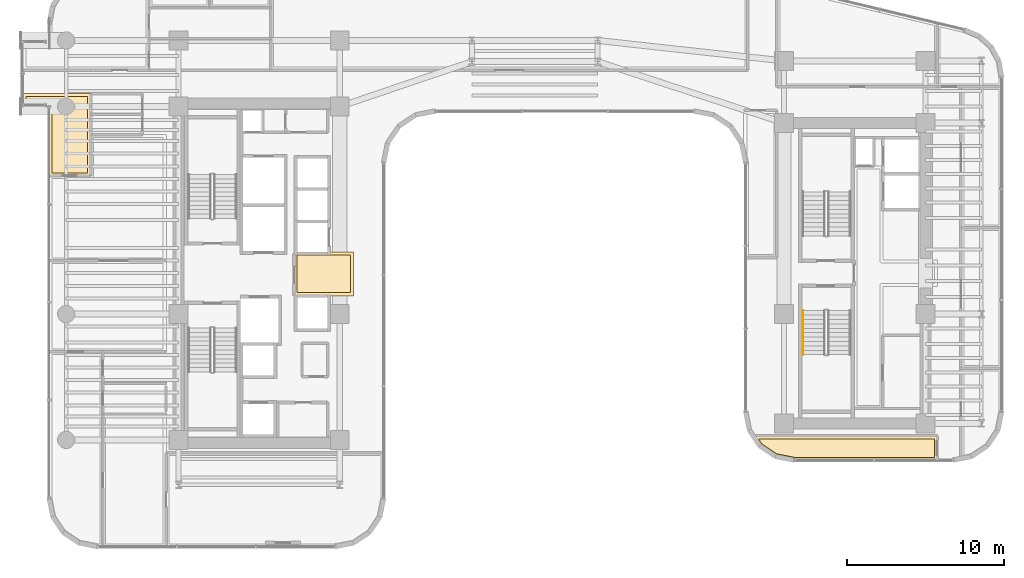
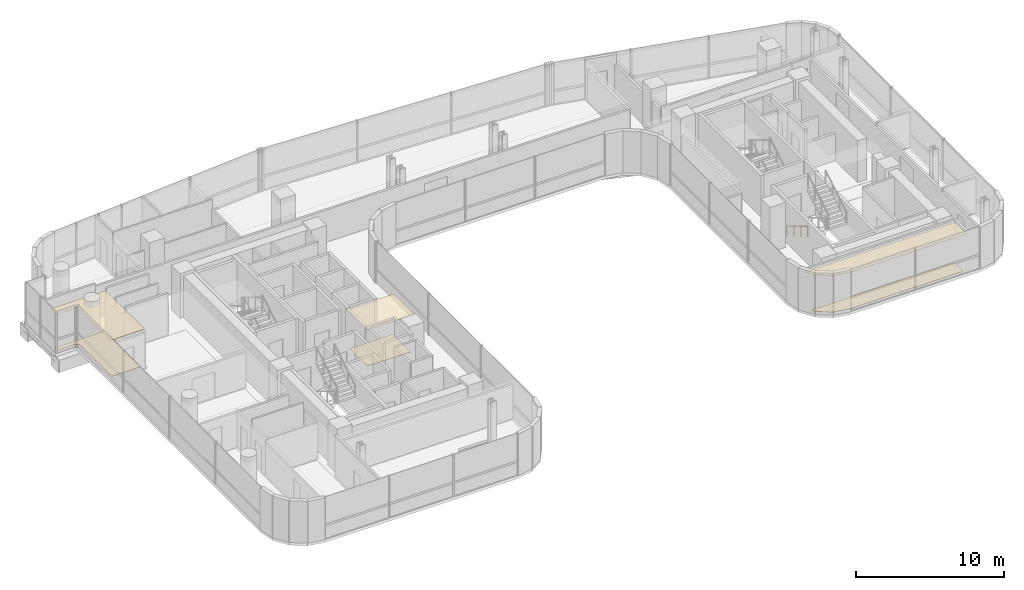
# One storey, part 33 of 35: 6 coverings, 1 railing.
"""IFC4 building model written with IfcOpenShell, lengths in metres."""

from ifc_helpers import new_model, si_unit, direction, frame, origin, origin_2d, place, context, subcontext, project, spatial, polyline, circle, outline, extrude, material, layer, layer_set, type_object, element, save


model = new_model("IFC4")

# Units and contexts
model_context = context("Model", 3, precision=1e-05, world=origin(), true_north=direction((0.0, 1.0)))
body_context = subcontext(model_context, "Body", "Model", "MODEL_VIEW")
ifc_project = project(units=[si_unit("LENGTHUNIT", "METRE"), si_unit("AREAUNIT", "SQUARE_METRE"), si_unit("VOLUMEUNIT", "CUBIC_METRE"), si_unit("PLANEANGLEUNIT", "RADIAN"), si_unit("MASSUNIT", "GRAM", prefix="KILO")], contexts=[model_context])

# Site, building, storey
site_placement = place(None, origin())
site = spatial("IfcSite", under=ifc_project, at=site_placement, CompositionType="ELEMENT")
building_placement = place(site_placement, origin())
building = spatial("IfcBuilding", under=site, at=building_placement, Name="Valdorenza Pilgrim Sanctuary Tower", CompositionType="ELEMENT")
storey_placement = place(building_placement, frame((0.0, 0.0, 150.10009765625)))
storey = spatial("IfcBuildingStorey", under=building, at=storey_placement, Name="L38", CompositionType="ELEMENT", Elevation=150.10009765625)

# Coverings
ifc_material_1 = material(Name="Micro-perforated acoustic mineral ceiling tile", Category="gypsum")
ifc_layer_1 = layer(ifc_material_1, 0.02490234375, Name="Micro-perforated acoustic mineral ceiling tile")
ifc_layer_set_1 = layer_set([ifc_layer_1], Name="Micro-perforated acoustic mineral ceiling tile")
covering_type_1 = type_object("IfcCoveringType", Name="COV-CLG-ACU", PredefinedType="CEILING", material=ifc_layer_set_1)
covering_1_placement = place(storey_placement, frame((0.0, 0.0, 3.159912109375)))
element("IfcCovering", 1, at=covering_1_placement, inside=storey, type_object=covering_type_1, Name="L38 Core A Passenger Lift Lobby Acoustic Ceiling", PredefinedType="CEILING", context=body_context, shape_type="SweptSolid", body=[
    extrude(outline(polyline([(-15.31298828125, 1.244384765625), (-15.31298828125, 1.24462890625), (-15.313720703125, 1.24609375), (-15.314208984375, 1.24755859375), (-15.314697265625, 1.2490234375), (-15.31494140625, 1.25048828125), (-15.31494140625, 1.251953125), (-15.31494140625, 1.35009765625), (-15.31494140625, 1.3515625), (-15.314697265625, 1.352783203125), (-15.314453125, 1.3544921875), (-15.31396484375, 1.355712890625), (-15.313232421875, 1.357177734375), (-15.3125, 1.3583984375), (-15.3115234375, 1.359619140625), (-15.310546875, 1.360595703125), (-15.3095703125, 1.361572265625), (-15.308349609375, 1.362548828125), (-15.30712890625, 1.36328125), (-15.3056640625, 1.364013671875), (-15.304443359375, 1.364501953125), (-15.302978515625, 1.36474609375), (-15.301513671875, 1.364990234375), (-15.300048828125, 1.364990234375), (-15.10205078125, 1.364990234375), (-15.1005859375, 1.364990234375), (-15.09912109375, 1.36474609375), (-15.097412109375, 1.3642578125), (-15.09619140625, 1.36376953125), (-15.0947265625, 1.363037109375), (-15.094482421875, 1.363037109375), (-13.185546875, 1.363037109375), (-13.185302734375, 1.363037109375), (-13.183837890625, 1.36376953125), (-13.1826171875, 1.3642578125), (-13.180908203125, 1.36474609375), (-13.179443359375, 1.364990234375), (-13.177978515625, 1.364990234375), (-11.550048828125, 1.364990234375), (-11.548583984375, 1.364990234375), (-11.547119140625, 1.36474609375), (-11.545654296875, 1.364501953125), (-11.544189453125, 1.364013671875), (-11.54296875, 1.36328125), (-11.541748046875, 1.362548828125), (-11.54052734375, 1.361572265625), (-11.539306640625, 1.360595703125), (-11.538330078125, 1.359619140625), (-11.53759765625, 1.3583984375), (-11.536865234375, 1.357177734375), (-11.5361328125, 1.355712890625), (-11.53564453125, 1.3544921875), (-11.535400390625, 1.352783203125), (-11.53515625, 1.3515625), (-11.534912109375, 1.35009765625), (-11.534912109375, -1.419921875), (-11.53515625, -1.42138671875), (-11.535400390625, -1.4228515625), (-11.53564453125, -1.42431640625), (-11.5361328125, -1.42578125), (-11.536865234375, -1.427001953125), (-11.53759765625, -1.42822265625), (-11.538330078125, -1.429443359375), (-11.539306640625, -1.4306640625), (-11.54052734375, -1.431640625), (-11.541748046875, -1.4326171875), (-11.54296875, -1.43310546875), (-11.544189453125, -1.433837890625), (-11.545654296875, -1.434326171875), (-11.547119140625, -1.434814453125), (-11.548583984375, -1.434814453125), (-11.550048828125, -1.43505859375), (-15.298095703125, -1.43505859375), (-15.299560546875, -1.434814453125), (-15.30078125, -1.434814453125), (-15.302490234375, -1.434326171875), (-15.3037109375, -1.433837890625), (-15.30517578125, -1.43310546875), (-15.306396484375, -1.4326171875), (-15.3076171875, -1.431640625), (-15.30859375, -1.4306640625), (-15.3095703125, -1.429443359375), (-15.310546875, -1.42822265625), (-15.311279296875, -1.427001953125), (-15.31201171875, -1.42578125), (-15.3125, -1.42431640625), (-15.312744140625, -1.4228515625), (-15.31298828125, -1.42138671875), (-15.31298828125, -1.419921875), (-15.31298828125, 1.244384765625)])), origin(), (0.0, 0.0, 1.0), 0.02490234375),
])
covering_2_placement = place(storey_placement, frame((0.0, 0.0, 3.159912109375)))
element("IfcCovering", 2, at=covering_2_placement, inside=storey, type_object=covering_type_1, Name="L38 Pilgrim Scholar Office L38-1 Acoustic Ceiling", PredefinedType="CEILING", context=body_context, shape_type="SweptSolid", body=[
    extrude(outline(polyline([(-28.237060546875, 8.805419921875), (-28.23681640625, 8.805419921875), (-28.236083984375, 8.803955078125), (-28.235595703125, 8.802490234375), (-28.2353515625, 8.801025390625), (-28.235107421875, 8.799560546875), (-28.235107421875, 8.798095703125), (-28.235107421875, 6.199951171875), (-28.235107421875, 6.198486328125), (-28.2353515625, 6.197021484375), (-28.235595703125, 6.195556640625), (-28.236083984375, 6.1943359375), (-28.23681640625, 6.19287109375), (-28.237548828125, 6.191650390625), (-28.23828125, 6.1904296875), (-28.239501953125, 6.189453125), (-28.240478515625, 6.1884765625), (-28.24169921875, 6.1875), (-28.242919921875, 6.186767578125), (-28.244384765625, 6.18603515625), (-28.24560546875, 6.185546875), (-28.2470703125, 6.185302734375), (-28.24853515625, 6.18505859375), (-28.25, 6.18505859375), (-30.889892578125, 6.18505859375), (-30.8916015625, 6.18505859375), (-30.892822265625, 6.185302734375), (-30.894287109375, 6.185546875), (-30.895751953125, 6.18603515625), (-30.897216796875, 6.186767578125), (-30.898193359375, 6.1875), (-30.8994140625, 6.1884765625), (-30.900634765625, 6.189453125), (-30.901611328125, 6.1904296875), (-30.902587890625, 6.191650390625), (-30.9033203125, 6.19287109375), (-30.90380859375, 6.1943359375), (-30.904296875, 6.195556640625), (-30.90478515625, 6.197021484375), (-30.90478515625, 6.198486328125), (-30.905029296875, 6.199951171875), (-30.905029296875, 10.599609375), (-30.905517578125, 10.609375), (-30.90673828125, 10.618408203125), (-30.9091796875, 10.627685546875), (-30.912109375, 10.63623046875), (-30.916259765625, 10.644775390625), (-30.9208984375, 10.65283203125), (-30.926513671875, 10.660400390625), (-30.932861328125, 10.667236328125), (-30.939697265625, 10.67333984375), (-30.947265625, 10.678955078125), (-30.955078125, 10.683837890625), (-30.963623046875, 10.687744140625), (-30.972412109375, 10.69091796875), (-30.9814453125, 10.693115234375), (-30.99072265625, 10.694580078125), (-31.00048828125, 10.695068359375), (-32.5400390625, 10.695068359375), (-32.54150390625, 10.695068359375), (-32.54296875, 10.6953125), (-32.54443359375, 10.695556640625), (-32.545654296875, 10.696044921875), (-32.547119140625, 10.69677734375), (-32.54833984375, 10.697509765625), (-32.549560546875, 10.698486328125), (-32.550537109375, 10.699462890625), (-32.551513671875, 10.700439453125), (-32.552490234375, 10.70166015625), (-32.55322265625, 10.702880859375), (-32.553955078125, 10.704345703125), (-32.554443359375, 10.70556640625), (-32.5546875, 10.70703125), (-32.554931640625, 10.70849609375), (-32.554931640625, 10.7099609375), (-32.554931640625, 11.419921875), (-32.554931640625, 11.42138671875), (-32.5546875, 11.4228515625), (-32.554443359375, 11.42431640625), (-32.553955078125, 11.42578125), (-32.55322265625, 11.427001953125), (-32.552490234375, 11.42822265625), (-32.551513671875, 11.429443359375), (-32.550537109375, 11.4306640625), (-32.549560546875, 11.431640625), (-32.54833984375, 11.4326171875), (-32.547119140625, 11.43310546875), (-32.545654296875, 11.433837890625), (-32.54443359375, 11.434326171875), (-32.54296875, 11.434814453125), (-32.54150390625, 11.434814453125), (-32.5400390625, 11.43505859375), (-28.25, 11.43505859375), (-28.24853515625, 11.434814453125), (-28.2470703125, 11.434814453125), (-28.24560546875, 11.434326171875), (-28.244384765625, 11.433837890625), (-28.242919921875, 11.43310546875), (-28.24169921875, 11.4326171875), (-28.240478515625, 11.431640625), (-28.239501953125, 11.4306640625), (-28.23828125, 11.429443359375), (-28.237548828125, 11.42822265625), (-28.23681640625, 11.427001953125), (-28.236083984375, 11.42578125), (-28.235595703125, 11.42431640625), (-28.2353515625, 11.4228515625), (-28.235107421875, 11.42138671875), (-28.235107421875, 11.419921875), (-28.235107421875, 11.402099609375), (-28.235107421875, 11.400390625), (-28.2353515625, 11.39892578125), (-28.235595703125, 11.3974609375), (-28.236083984375, 11.39599609375), (-28.23681640625, 11.394775390625), (-28.237060546875, 11.39453125), (-28.237060546875, 10.103759765625), (-28.23681640625, 10.10302734375), (-28.23681640625, 10.1015625), (-28.23681640625, 10.10009765625), (-28.23681640625, 10.098388671875), (-28.237060546875, 10.09814453125), (-28.237060546875, 8.805419921875)])), origin(), (0.0, 0.0, 1.0), 0.02490234375),
])
covering_3_placement = place(storey_placement, frame((0.0, 0.0, 3.159912109375)))
element("IfcCovering", 3, at=covering_3_placement, inside=storey, type_object=covering_type_1, Name="L38 Sacred Manuscript Archive L38-BS Acoustic Ceiling", PredefinedType="CEILING", context=body_context, shape_type="SweptSolid", body=[
    extrude(outline(polyline([(25.614990234375, -11.889892578125), (25.614990234375, -11.8916015625), (25.61474609375, -11.892822265625), (25.614501953125, -11.894287109375), (25.614013671875, -11.895751953125), (25.61328125, -11.897216796875), (25.612548828125, -11.898193359375), (25.611572265625, -11.8994140625), (25.610595703125, -11.900634765625), (25.609619140625, -11.901611328125), (25.6083984375, -11.902587890625), (25.607177734375, -11.9033203125), (25.605712890625, -11.90380859375), (25.6044921875, -11.904296875), (25.602783203125, -11.90478515625), (25.6015625, -11.90478515625), (25.60009765625, -11.905029296875), (16.5107421875, -11.905029296875), (16.509521484375, -11.90478515625), (16.5078125, -11.90478515625), (15.3154296875, -11.66748046875), (15.31396484375, -11.6669921875), (15.3125, -11.66650390625), (15.311279296875, -11.666015625), (15.31005859375, -11.665283203125), (14.308349609375, -10.995849609375), (14.30712890625, -10.9951171875), (14.305908203125, -10.993896484375), (14.304931640625, -10.992919921875), (14.30419921875, -10.99169921875), (13.880859375, -10.3583984375), (13.880126953125, -10.357177734375), (13.87939453125, -10.355712890625), (13.87890625, -10.3544921875), (13.878662109375, -10.352783203125), (13.87841796875, -10.3515625), (13.87841796875, -10.35009765625), (13.87841796875, -10.348388671875), (13.878662109375, -10.34716796875), (13.87890625, -10.345703125), (13.87939453125, -10.34423828125), (13.880126953125, -10.343017578125), (13.880859375, -10.341796875), (13.881591796875, -10.340576171875), (13.8828125, -10.33935546875), (13.8837890625, -10.33837890625), (13.885009765625, -10.33740234375), (13.88623046875, -10.3369140625), (13.8876953125, -10.336181640625), (13.888916015625, -10.335693359375), (13.890380859375, -10.335205078125), (13.891845703125, -10.335205078125), (13.893310546875, -10.3349609375), (25.60009765625, -10.3349609375), (25.6015625, -10.335205078125), (25.602783203125, -10.335205078125), (25.6044921875, -10.335693359375), (25.605712890625, -10.336181640625), (25.607177734375, -10.3369140625), (25.6083984375, -10.33740234375), (25.609619140625, -10.33837890625), (25.610595703125, -10.33935546875), (25.611572265625, -10.340576171875), (25.612548828125, -10.341796875), (25.61328125, -10.343017578125), (25.614013671875, -10.34423828125), (25.614501953125, -10.345703125), (25.61474609375, -10.34716796875), (25.614990234375, -10.348388671875), (25.614990234375, -10.35009765625), (25.614990234375, -11.889892578125)])), origin(), (0.0, 0.0, 1.0), 0.02490234375),
])
ifc_material_2 = material(Name="Honed travertine stone flooring", Category="masonry")
ifc_layer_2 = layer(ifc_material_2, 0.030029296875, Name="Honed travertine stone flooring")
ifc_layer_set_2 = layer_set([ifc_layer_2], Name="Honed travertine stone flooring")
covering_type_2 = type_object("IfcCoveringType", Name="COV-FLR-TRV", PredefinedType="FLOORING", material=ifc_layer_set_2)
covering_4_placement = place(storey_placement, origin())
element("IfcCovering", 4, at=covering_4_placement, inside=storey, type_object=covering_type_2, Name="L38 Core A Passenger Lift Lobby Flooring", PredefinedType="FLOORING", context=body_context, shape_type="SweptSolid", body=[
    extrude(outline(polyline([(-15.117919921875, 1.169189453125), (-15.10888671875, 1.168212890625), (-15.10888671875, 1.168212890625), (-15.10009765625, 1.16796875), (-13.179931640625, 1.16796875), (-13.1796875, 1.16796875), (-11.72998046875, 1.169921875), (-11.72998046875, -1.239990234375), (-15.117919921875, -1.239990234375), (-15.117919921875, 1.169189453125)])), origin(), (0.0, 0.0, 1.0), 0.02490234375),
])
covering_5_placement = place(storey_placement, origin())
element("IfcCovering", 5, at=covering_5_placement, inside=storey, type_object=covering_type_2, Name="L38 Pilgrim Scholar Office L38-1 Flooring", PredefinedType="FLOORING", context=body_context, shape_type="SweptSolid", body=[
    extrude(outline(polyline([(-28.431884765625, 11.239990234375), (-28.431884765625, 10.10205078125), (-28.431884765625, 10.10107421875), (-28.431884765625, 10.100341796875), (-28.431884765625, 10.10009765625), (-28.431884765625, 8.800048828125), (-28.43017578125, 6.3798828125), (-30.7099609375, 6.3798828125), (-30.7099609375, 10.60009765625), (-30.710205078125, 10.60888671875), (-30.710693359375, 10.61962890625), (-30.71240234375, 10.63720703125), (-30.714111328125, 10.64794921875), (-30.717529296875, 10.665283203125), (-30.72021484375, 10.67578125), (-30.725341796875, 10.692626953125), (-30.72900390625, 10.70263671875), (-30.735595703125, 10.718994140625), (-30.740234375, 10.728759765625), (-30.74853515625, 10.744384765625), (-30.754150390625, 10.753662109375), (-30.763916015625, 10.768310546875), (-30.7705078125, 10.777099609375), (-30.781494140625, 10.790771484375), (-30.788818359375, 10.798583984375), (-30.80126953125, 10.811279296875), (-30.809326171875, 10.818359375), (-30.822998046875, 10.82958984375), (-30.831787109375, 10.8359375), (-30.84619140625, 10.845947265625), (-30.855712890625, 10.851318359375), (-30.87109375, 10.859619140625), (-30.880859375, 10.8642578125), (-30.897216796875, 10.87109375), (-30.907470703125, 10.874755859375), (-30.92431640625, 10.8798828125), (-30.934814453125, 10.882568359375), (-30.9521484375, 10.885986328125), (-30.962890625, 10.887451171875), (-30.98046875, 10.889404296875), (-30.9912109375, 10.889892578125), (-31.0, 10.889892578125), (-32.360107421875, 10.889892578125), (-32.360107421875, 11.239990234375), (-28.431884765625, 11.239990234375)])), origin(), (0.0, 0.0, 1.0), 0.02490234375),
])
covering_6_placement = place(storey_placement, origin())
element("IfcCovering", 6, at=covering_6_placement, inside=storey, type_object=covering_type_2, Name="L38 Sacred Manuscript Archive L38-BS Flooring", PredefinedType="FLOORING", context=body_context, shape_type="SweptSolid", body=[
    extrude(outline(polyline([(25.419921875, -11.7099609375), (16.528564453125, -11.7099609375), (15.388671875, -11.483154296875), (14.4462890625, -10.853515625), (14.22998046875, -10.530029296875), (25.419921875, -10.530029296875), (25.419921875, -11.7099609375)])), origin(), (0.0, 0.0, 1.0), 0.02490234375),
])

# Railing
ifc_material_3 = material(Name="Brushed stainless steel Grade 316", Category="steel")
railing_type = type_object("IfcRailingType", Name="RLG-HND-920", PredefinedType="HANDRAIL", material=ifc_material_3)
railing_placement = place(storey_placement, frame((17.050048828125, -2.3798828125, 0.16796875)))
element("IfcRailing", 7, at=railing_placement, inside=storey, type_object=railing_type, Name="L38 ST-B2 stair handrail 1", PredefinedType="HANDRAIL", context=body_context, shape_type="SweptSolid", body=[
    extrude(circle(Radius=0.02392578125, at=origin_2d()), frame((0.0, 0.0, 0.8759765625), z_axis=(0.0, -0.857242210791, 0.514913383045), x_axis=(1.0, 0.0, 0.0)), (0.0, 0.0, 1.0), 3.266357421875),
    extrude(circle(Radius=0.02099609375, at=origin_2d()), origin(), (0.0, 0.0, 1.0), 0.851806640625),
    extrude(circle(Radius=0.02099609375, at=origin_2d()), frame((0.0, -0.933349609375, 0.560546875)), (0.0, 0.0, 1.0), 0.851806640625),
    extrude(circle(Radius=0.02099609375, at=origin_2d()), frame((0.0, -1.86669921875, 1.121337890625)), (0.0, 0.0, 1.0), 0.851806640625),
    extrude(circle(Radius=0.02099609375, at=origin_2d()), frame((0.0, -2.800048828125, 1.681884765625)), (0.0, 0.0, 1.0), 0.851806640625),
])

save(model, "model.ifc")
